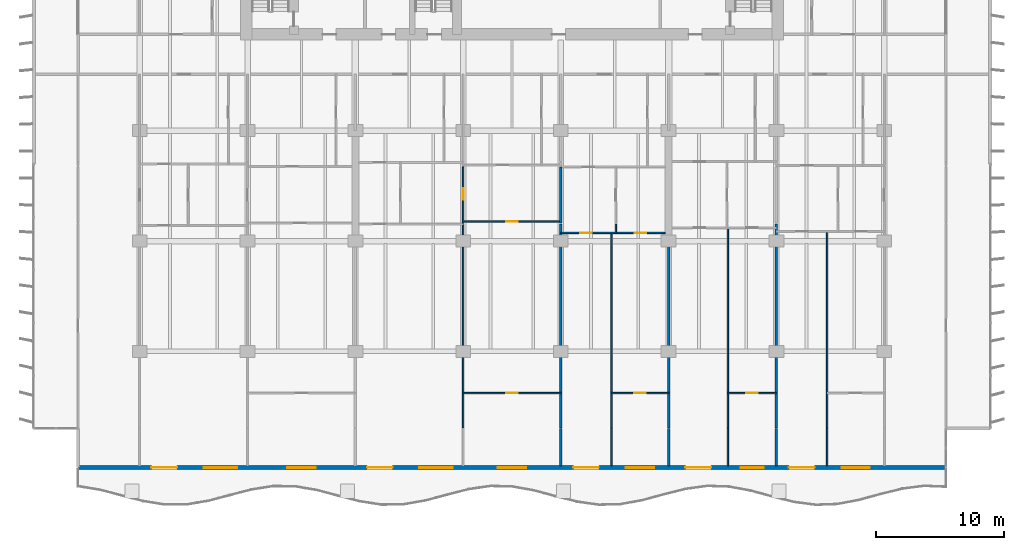
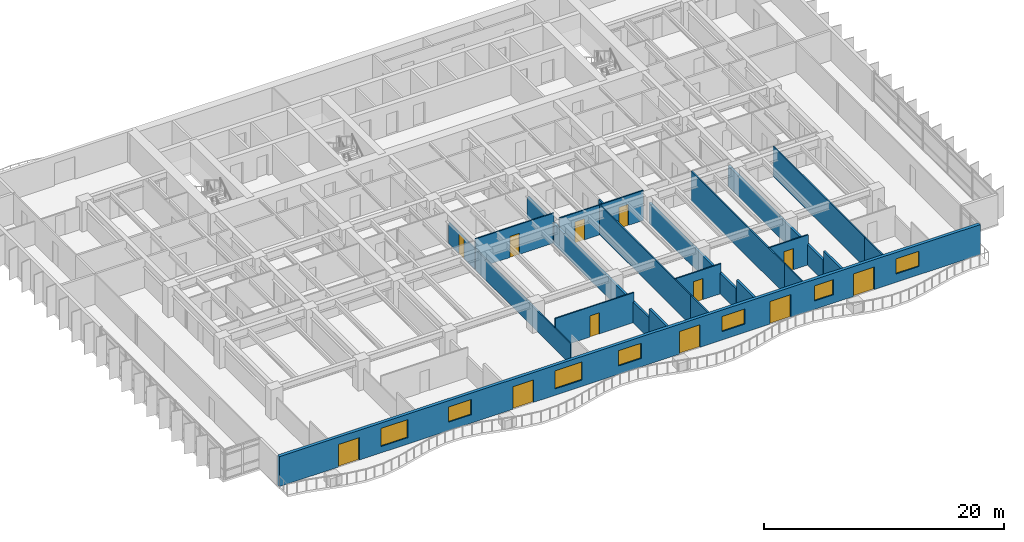
# One storey, part 8 of 18: 22 walls, 12 doors, 7 windows, 19 openings.
"""IFC4 building model written with IfcOpenShell, lengths in metres."""

from ifc_helpers import new_model, si_unit, direction, frame, frame_2d, origin, place, context, subcontext, project, spatial, rectangle, extrude, material, layer, layer_set, type_object, element, fill, save


model = new_model("IFC4")

# Units and contexts
model_context = context("Model", 3, precision=1e-05, world=origin(), true_north=direction((0.0, 1.0)))
body_context = subcontext(model_context, "Body", "Model", "MODEL_VIEW")
ifc_project = project(units=[si_unit("LENGTHUNIT", "METRE"), si_unit("AREAUNIT", "SQUARE_METRE"), si_unit("VOLUMEUNIT", "CUBIC_METRE"), si_unit("PLANEANGLEUNIT", "RADIAN"), si_unit("MASSUNIT", "GRAM", prefix="KILO")], contexts=[model_context])

# Site, building, storey
site_placement = place(None, origin())
site = spatial("IfcSite", under=ifc_project, at=site_placement, CompositionType="ELEMENT")
building_placement = place(site_placement, origin())
building = spatial("IfcBuilding", under=site, at=building_placement, Name="Caelmar Bay Residences", CompositionType="ELEMENT")
storey_placement = place(building_placement, frame((0.0, 0.0, 56.39990234375)))
storey = spatial("IfcBuildingStorey", under=building, at=storey_placement, Name="L14", CompositionType="ELEMENT", Elevation=56.39990234375)

# Wall, openings, doors, windows
ifc_material_1 = material(Name="Precast concrete f'c 40 MPa (6,000 psi)", Category="concrete")
ifc_layer_1 = layer(ifc_material_1, 0.300048828125)
ifc_layer_set_1 = layer_set([ifc_layer_1], Name="Precast concrete f'c 40 MPa (6,000 psi)")
wall_type_1 = type_object("IfcWallType", Name="W-EXT-300", PredefinedType="STANDARD", material=ifc_layer_set_1)
wall_1_placement = place(storey_placement, frame((72.699951171875, 3.14990234375, 0.0), z_axis=(0.0, 0.0, 1.0), x_axis=(-1.0, 0.0, 0.0)))
wall_1 = element("IfcWall", 1, at=wall_1_placement, inside=storey, type_object=wall_type_1, Name="L14 South Bayfront Exterior Wall", PredefinedType="STANDARD", context=body_context, shape_type="SweptSolid", body=[
    extrude(rectangle(XDim=67.599853515625, YDim=0.300048828125, at=frame_2d((33.7998046875, 0.0))), origin(), (0.0, 0.0, 1.0), 3.050048828125),
])
opening_1_placement = place(wall_1_placement, frame((59.889892578125, 0.0, 0.0)))
opening_1 = element("IfcOpeningElement", 2, at=opening_1_placement, cuts=wall_1, Name="Opening L14-BD01", PredefinedType="OPENING", context=body_context, shape_type="SweptSolid", body=[
    extrude(rectangle(XDim=2.0, YDim=2.300048828125, at=frame_2d((1.0, 1.14990234375))), frame((0.0, 0.159912109375, 0.0), z_axis=(0.0, -1.0, 0.0), x_axis=(1.0, 0.0, 0.0)), (0.0, 0.0, 1.0), 0.320068359375),
])
opening_2_placement = place(wall_1_placement, frame((55.2099609375, 0.0, 0.64990234375)))
opening_2 = element("IfcOpeningElement", 3, at=opening_2_placement, cuts=wall_1, Name="Opening WN3", PredefinedType="OPENING", context=body_context, shape_type="SweptSolid", body=[
    extrude(rectangle(XDim=2.60009765625, YDim=1.85009765625, at=frame_2d((1.300048828125, 0.925048828125))), frame((0.0, 0.159912109375, 0.0), z_axis=(0.0, -1.0, 0.0), x_axis=(1.0, 0.0, 0.0)), (0.0, 0.0, 1.0), 0.320068359375),
])
opening_3_placement = place(wall_1_placement, frame((49.10009765625, 0.0, 0.85009765625)))
opening_3 = element("IfcOpeningElement", 4, at=opening_3_placement, cuts=wall_1, Name="Opening WN2", PredefinedType="OPENING", context=body_context, shape_type="SweptSolid", body=[
    extrude(rectangle(XDim=2.199951171875, YDim=1.550048828125, at=frame_2d((1.10009765625, 0.77490234375))), frame((0.0, 0.159912109375, 0.0), z_axis=(0.0, -1.0, 0.0), x_axis=(1.0, 0.0, 0.0)), (0.0, 0.0, 1.0), 0.320068359375),
])
opening_4_placement = place(wall_1_placement, frame((43.090087890625, 0.0, 0.0)))
opening_4 = element("IfcOpeningElement", 5, at=opening_4_placement, cuts=wall_1, Name="Opening L14-BD02", PredefinedType="OPENING", context=body_context, shape_type="SweptSolid", body=[
    extrude(rectangle(XDim=2.0, YDim=2.300048828125, at=frame_2d((1.0, 1.14990234375))), frame((0.0, 0.159912109375, 0.0), z_axis=(0.0, -1.0, 0.0), x_axis=(1.0, 0.0, 0.0)), (0.0, 0.0, 1.0), 0.320068359375),
])
opening_5_placement = place(wall_1_placement, frame((38.409912109375, 0.0, 0.64990234375)))
opening_5 = element("IfcOpeningElement", 6, at=opening_5_placement, cuts=wall_1, Name="Opening WN3", PredefinedType="OPENING", context=body_context, shape_type="SweptSolid", body=[
    extrude(rectangle(XDim=2.60009765625, YDim=1.85009765625, at=frame_2d((1.300048828125, 0.925048828125))), frame((0.0, 0.159912109375, 0.0), z_axis=(0.0, -1.0, 0.0), x_axis=(1.0, 0.0, 0.0)), (0.0, 0.0, 1.0), 0.320068359375),
])
opening_6_placement = place(wall_1_placement, frame((32.699951171875, 0.0, 0.85009765625)))
opening_6 = element("IfcOpeningElement", 7, at=opening_6_placement, cuts=wall_1, Name="Opening WN2", PredefinedType="OPENING", context=body_context, shape_type="SweptSolid", body=[
    extrude(rectangle(XDim=2.199951171875, YDim=1.550048828125, at=frame_2d((1.10009765625, 0.77490234375))), frame((0.0, 0.159912109375, 0.0), z_axis=(0.0, -1.0, 0.0), x_axis=(1.0, 0.0, 0.0)), (0.0, 0.0, 1.0), 0.320068359375),
])
opening_7_placement = place(wall_1_placement, frame((27.02587890625, 0.0, 0.0)))
opening_7 = element("IfcOpeningElement", 8, at=opening_7_placement, cuts=wall_1, Name="Opening L14-BD03", PredefinedType="OPENING", context=body_context, shape_type="SweptSolid", body=[
    extrude(rectangle(XDim=2.0, YDim=2.300048828125, at=frame_2d((1.0, 1.14990234375))), frame((0.0, 0.159912109375, 0.0), z_axis=(0.0, -1.0, 0.0), x_axis=(1.0, 0.0, 0.0)), (0.0, 0.0, 1.0), 0.320068359375),
])
opening_8_placement = place(wall_1_placement, frame((22.72607421875, 0.0, 0.85009765625)))
opening_8 = element("IfcOpeningElement", 9, at=opening_8_placement, cuts=wall_1, Name="Opening WN2", PredefinedType="OPENING", context=body_context, shape_type="SweptSolid", body=[
    extrude(rectangle(XDim=2.199951171875, YDim=1.550048828125, at=frame_2d((1.10009765625, 0.77490234375))), frame((0.0, 0.159912109375, 0.0), z_axis=(0.0, -1.0, 0.0), x_axis=(1.0, 0.0, 0.0)), (0.0, 0.0, 1.0), 0.320068359375),
])
opening_9_placement = place(wall_1_placement, frame((18.2900390625, 0.0, 0.0)))
opening_9 = element("IfcOpeningElement", 10, at=opening_9_placement, cuts=wall_1, Name="Opening L14-BD04", PredefinedType="OPENING", context=body_context, shape_type="SweptSolid", body=[
    extrude(rectangle(XDim=2.0, YDim=2.300048828125, at=frame_2d((1.0, 1.14990234375))), frame((0.0, 0.159912109375, 0.0), z_axis=(0.0, -1.0, 0.0), x_axis=(1.0, 0.0, 0.0)), (0.0, 0.0, 1.0), 0.320068359375),
])
opening_10_placement = place(wall_1_placement, frame((14.18994140625, 0.0, 0.85009765625)))
opening_10 = element("IfcOpeningElement", 11, at=opening_10_placement, cuts=wall_1, Name="Opening WN1", PredefinedType="OPENING", context=body_context, shape_type="SweptSolid", body=[
    extrude(rectangle(XDim=1.800048828125, YDim=1.550048828125, at=frame_2d((0.89990234375, 0.77490234375))), frame((0.0, 0.159912109375, 0.0), z_axis=(0.0, -1.0, 0.0), x_axis=(1.0, 0.0, 0.0)), (0.0, 0.0, 1.0), 0.320068359375),
])
opening_11_placement = place(wall_1_placement, frame((10.22607421875, 0.0, 0.0)))
opening_11 = element("IfcOpeningElement", 12, at=opening_11_placement, cuts=wall_1, Name="Opening L14-BD05", PredefinedType="OPENING", context=body_context, shape_type="SweptSolid", body=[
    extrude(rectangle(XDim=2.0, YDim=2.300048828125, at=frame_2d((1.0, 1.14990234375))), frame((0.0, 0.159912109375, 0.0), z_axis=(0.0, -1.0, 0.0), x_axis=(1.0, 0.0, 0.0)), (0.0, 0.0, 1.0), 0.320068359375),
])
opening_12_placement = place(wall_1_placement, frame((5.926025390625, 0.0, 0.85009765625)))
opening_12 = element("IfcOpeningElement", 13, at=opening_12_placement, cuts=wall_1, Name="Opening WN2", PredefinedType="OPENING", context=body_context, shape_type="SweptSolid", body=[
    extrude(rectangle(XDim=2.199951171875, YDim=1.550048828125, at=frame_2d((1.10009765625, 0.77490234375))), frame((0.0, 0.159912109375, 0.0), z_axis=(0.0, -1.0, 0.0), x_axis=(1.0, 0.0, 0.0)), (0.0, 0.0, 1.0), 0.320068359375),
])
ifc_material_2 = material(Name="Anodised bronze thermally broken sliding glass door", Category="glass")
ifc_layer_2 = layer(ifc_material_2, 0.050048828125)
ifc_layer_set_2 = layer_set([ifc_layer_2], Name="Anodised bronze thermally broken sliding glass door")
door_type_1 = type_object("IfcDoorType", Name="D-BAL-2000", OperationType="DOUBLE_DOOR_SLIDING", PredefinedType="DOOR", material=ifc_layer_set_2)
door_1_placement = place(opening_1_placement, origin())
door_1 = element("IfcDoor", 14, at=door_1_placement, inside=storey, type_object=door_type_1, Name="L14 Residence 01 Penthouse Living Salon Balcony Door", OperationType="DOUBLE_DOOR_SLIDING", OverallHeight=2.300048828125, OverallWidth=2.0, PredefinedType="DOOR", context=body_context, shape_type="SweptSolid", body=[
    extrude(rectangle(XDim=2.0, YDim=2.300048828125, at=frame_2d((1.0, 1.14990234375))), frame((0.0, 0.02490234375, 0.0), z_axis=(0.0, -1.0, 0.0), x_axis=(1.0, 0.0, 0.0)), (0.0, 0.0, 1.0), 0.050048828125),
])
fill(opening_1, door_1)
door_2_placement = place(opening_4_placement, origin())
door_2 = element("IfcDoor", 15, at=door_2_placement, inside=storey, type_object=door_type_1, Name="L14 Residence 02 Penthouse Living Salon Balcony Door", OperationType="DOUBLE_DOOR_SLIDING", OverallHeight=2.300048828125, OverallWidth=2.0, PredefinedType="DOOR", context=body_context, shape_type="SweptSolid", body=[
    extrude(rectangle(XDim=2.0, YDim=2.300048828125, at=frame_2d((1.0, 1.14990234375))), frame((0.0, 0.02490234375, 0.0), z_axis=(0.0, -1.0, 0.0), x_axis=(1.0, 0.0, 0.0)), (0.0, 0.0, 1.0), 0.050048828125),
])
fill(opening_4, door_2)
door_3_placement = place(opening_7_placement, origin())
door_3 = element("IfcDoor", 16, at=door_3_placement, inside=storey, type_object=door_type_1, Name="L14 Residence 03 Living Room Balcony Door", OperationType="DOUBLE_DOOR_SLIDING", OverallHeight=2.300048828125, OverallWidth=2.0, PredefinedType="DOOR", context=body_context, shape_type="SweptSolid", body=[
    extrude(rectangle(XDim=2.0, YDim=2.300048828125, at=frame_2d((1.0, 1.14990234375))), frame((0.0, 0.02490234375, 0.0), z_axis=(0.0, -1.0, 0.0), x_axis=(1.0, 0.0, 0.0)), (0.0, 0.0, 1.0), 0.050048828125),
])
fill(opening_7, door_3)
door_4_placement = place(opening_9_placement, origin())
door_4 = element("IfcDoor", 17, at=door_4_placement, inside=storey, type_object=door_type_1, Name="L14 Residence 04 Penthouse Living Salon Balcony Door", OperationType="DOUBLE_DOOR_SLIDING", OverallHeight=2.300048828125, OverallWidth=2.0, PredefinedType="DOOR", context=body_context, shape_type="SweptSolid", body=[
    extrude(rectangle(XDim=2.0, YDim=2.300048828125, at=frame_2d((1.0, 1.14990234375))), frame((0.0, 0.02490234375, 0.0), z_axis=(0.0, -1.0, 0.0), x_axis=(1.0, 0.0, 0.0)), (0.0, 0.0, 1.0), 0.050048828125),
])
fill(opening_9, door_4)
door_5_placement = place(opening_11_placement, origin())
door_5 = element("IfcDoor", 18, at=door_5_placement, inside=storey, type_object=door_type_1, Name="L14 Residence 05 Living Room Balcony Door", OperationType="DOUBLE_DOOR_SLIDING", OverallHeight=2.300048828125, OverallWidth=2.0, PredefinedType="DOOR", context=body_context, shape_type="SweptSolid", body=[
    extrude(rectangle(XDim=2.0, YDim=2.300048828125, at=frame_2d((1.0, 1.14990234375))), frame((0.0, 0.02490234375, 0.0), z_axis=(0.0, -1.0, 0.0), x_axis=(1.0, 0.0, 0.0)), (0.0, 0.0, 1.0), 0.050048828125),
])
fill(opening_11, door_5)
ifc_material_3 = material(Name="Bronze aluminium frame with laminated low-E glass", Category="aluminium")
ifc_layer_3 = layer(ifc_material_3, 0.06005859375)
ifc_layer_set_3 = layer_set([ifc_layer_3], Name="Bronze aluminium frame with laminated low-E glass")
window_type_1 = type_object("IfcWindowType", Name="WIN-BR-1800", PartitioningType="SINGLE_PANEL", PredefinedType="WINDOW", material=ifc_layer_set_3)
window_1_placement = place(opening_10_placement, origin())
window_1 = element("IfcWindow", 19, at=window_1_placement, inside=storey, type_object=window_type_1, Name="L14 Residence 04 Primary Bedroom Window", OverallHeight=1.550048828125, OverallWidth=1.800048828125, PartitioningType="SINGLE_PANEL", PredefinedType="WINDOW", context=body_context, shape_type="SweptSolid", body=[
    extrude(rectangle(XDim=1.800048828125, YDim=1.550048828125, at=frame_2d((0.89990234375, 0.77490234375))), frame((0.0, 0.030029296875, 0.0), z_axis=(0.0, -1.0, 0.0), x_axis=(1.0, 0.0, 0.0)), (0.0, 0.0, 1.0), 0.06005859375),
])
fill(opening_10, window_1)
ifc_layer_4 = layer(ifc_material_3, 0.06005859375)
ifc_layer_set_4 = layer_set([ifc_layer_4], Name="Bronze aluminium frame with laminated low-E glass")
window_type_2 = type_object("IfcWindowType", Name="WIN-BR-2200", PartitioningType="SINGLE_PANEL", PredefinedType="WINDOW", material=ifc_layer_set_4)
window_2_placement = place(opening_3_placement, origin())
window_2 = element("IfcWindow", 20, at=window_2_placement, inside=storey, type_object=window_type_2, Name="L14 Residence 01 Primary Bedroom 1 Window", OverallHeight=1.550048828125, OverallWidth=2.199951171875, PartitioningType="SINGLE_PANEL", PredefinedType="WINDOW", context=body_context, shape_type="SweptSolid", body=[
    extrude(rectangle(XDim=2.199951171875, YDim=1.550048828125, at=frame_2d((1.10009765625, 0.77490234375))), frame((0.0, 0.030029296875, 0.0), z_axis=(0.0, -1.0, 0.0), x_axis=(1.0, 0.0, 0.0)), (0.0, 0.0, 1.0), 0.06005859375),
])
fill(opening_3, window_2)
window_3_placement = place(opening_6_placement, origin())
window_3 = element("IfcWindow", 21, at=window_3_placement, inside=storey, type_object=window_type_2, Name="L14 Residence 02 Primary Bedroom 1 Window", OverallHeight=1.550048828125, OverallWidth=2.199951171875, PartitioningType="SINGLE_PANEL", PredefinedType="WINDOW", context=body_context, shape_type="SweptSolid", body=[
    extrude(rectangle(XDim=2.199951171875, YDim=1.550048828125, at=frame_2d((1.10009765625, 0.77490234375))), frame((0.0, 0.030029296875, 0.0), z_axis=(0.0, -1.0, 0.0), x_axis=(1.0, 0.0, 0.0)), (0.0, 0.0, 1.0), 0.06005859375),
])
fill(opening_6, window_3)
window_4_placement = place(opening_8_placement, origin())
window_4 = element("IfcWindow", 22, at=window_4_placement, inside=storey, type_object=window_type_2, Name="L14 Residence 03 Primary Bedroom Window", OverallHeight=1.550048828125, OverallWidth=2.199951171875, PartitioningType="SINGLE_PANEL", PredefinedType="WINDOW", context=body_context, shape_type="SweptSolid", body=[
    extrude(rectangle(XDim=2.199951171875, YDim=1.550048828125, at=frame_2d((1.10009765625, 0.77490234375))), frame((0.0, 0.030029296875, 0.0), z_axis=(0.0, -1.0, 0.0), x_axis=(1.0, 0.0, 0.0)), (0.0, 0.0, 1.0), 0.06005859375),
])
fill(opening_8, window_4)
window_5_placement = place(opening_12_placement, origin())
window_5 = element("IfcWindow", 23, at=window_5_placement, inside=storey, type_object=window_type_2, Name="L14 Residence 05 Primary Bedroom Window", OverallHeight=1.550048828125, OverallWidth=2.199951171875, PartitioningType="SINGLE_PANEL", PredefinedType="WINDOW", context=body_context, shape_type="SweptSolid", body=[
    extrude(rectangle(XDim=2.199951171875, YDim=1.550048828125, at=frame_2d((1.10009765625, 0.77490234375))), frame((0.0, 0.030029296875, 0.0), z_axis=(0.0, -1.0, 0.0), x_axis=(1.0, 0.0, 0.0)), (0.0, 0.0, 1.0), 0.06005859375),
])
fill(opening_12, window_5)
ifc_layer_5 = layer(ifc_material_3, 0.06005859375)
ifc_layer_set_5 = layer_set([ifc_layer_5], Name="Bronze aluminium frame with laminated low-E glass")
window_type_3 = type_object("IfcWindowType", Name="WIN-LIV-2600", PartitioningType="SINGLE_PANEL", PredefinedType="WINDOW", material=ifc_layer_set_5)
window_6_placement = place(opening_2_placement, origin())
window_6 = element("IfcWindow", 24, at=window_6_placement, inside=storey, type_object=window_type_3, Name="L14 Residence 01 Penthouse Living Salon Panoramic Window", OverallHeight=1.85009765625, OverallWidth=2.60009765625, PartitioningType="SINGLE_PANEL", PredefinedType="WINDOW", context=body_context, shape_type="SweptSolid", body=[
    extrude(rectangle(XDim=2.60009765625, YDim=1.85009765625, at=frame_2d((1.300048828125, 0.925048828125))), frame((0.0, 0.030029296875, 0.0), z_axis=(0.0, -1.0, 0.0), x_axis=(1.0, 0.0, 0.0)), (0.0, 0.0, 1.0), 0.06005859375),
])
fill(opening_2, window_6)
window_7_placement = place(opening_5_placement, origin())
window_7 = element("IfcWindow", 25, at=window_7_placement, inside=storey, type_object=window_type_3, Name="L14 Residence 02 Penthouse Living Salon Panoramic Window", OverallHeight=1.85009765625, OverallWidth=2.60009765625, PartitioningType="SINGLE_PANEL", PredefinedType="WINDOW", context=body_context, shape_type="SweptSolid", body=[
    extrude(rectangle(XDim=2.60009765625, YDim=1.85009765625, at=frame_2d((1.300048828125, 0.925048828125))), frame((0.0, 0.030029296875, 0.0), z_axis=(0.0, -1.0, 0.0), x_axis=(1.0, 0.0, 0.0)), (0.0, 0.0, 1.0), 0.06005859375),
])
fill(opening_5, window_7)

# Wall
ifc_material_4 = material(Name="Acoustic metal-stud gypsum partition 120 mm")
ifc_layer_6 = layer(ifc_material_4, 0.1201171875)
ifc_layer_set_6 = layer_set([ifc_layer_6], Name="Acoustic metal-stud gypsum partition 120 mm")
wall_type_2 = type_object("IfcWallType", Name="W-PRT-120", PredefinedType="PARTITIONING", material=ifc_layer_set_6)
wall_2_placement = place(storey_placement, frame((35.10009765625, 6.239990234375, 0.0), z_axis=(0.0, 0.0, 1.0), x_axis=(0.0, 1.0, 0.0)))
element("IfcWall", 26, at=wall_2_placement, inside=storey, type_object=wall_type_2, Name="L14 Partition Wall V038", PredefinedType="PARTITIONING", context=body_context, shape_type="SweptSolid", body=[
    extrude(rectangle(XDim=15.880126953125, YDim=0.1201171875, at=frame_2d((7.93994140625, 0.0))), origin(), (0.0, 0.0, 1.0), 2.110107421875),
])

# Wall, opening, door
wall_3_placement = place(storey_placement, frame((35.10009765625, 22.199951171875, 0.0), z_axis=(0.0, 0.0, 1.0), x_axis=(0.0, 1.0, 0.0)))
wall_3 = element("IfcWall", 27, at=wall_3_placement, inside=storey, type_object=wall_type_2, Name="L14 Partition Wall V039", PredefinedType="PARTITIONING", context=body_context, shape_type="SweptSolid", body=[
    extrude(rectangle(XDim=4.380126953125, YDim=0.1201171875, at=frame_2d((2.18994140625, 0.0))), origin(), (0.0, 0.0, 1.0), 2.110107421875),
])
opening_13_placement = place(wall_3_placement, frame((1.800048828125, 0.0, 0.0)))
opening_13 = element("IfcOpeningElement", 28, at=opening_13_placement, cuts=wall_3, Name="Opening D-L14-137", PredefinedType="OPENING", context=body_context, shape_type="SweptSolid", body=[
    extrude(rectangle(XDim=0.89990234375, YDim=2.06005859375, at=frame_2d((0.449951171875, 1.030029296875))), frame((0.0, 0.070068359375, 0.0), z_axis=(0.0, -1.0, 0.0), x_axis=(1.0, 0.0, 0.0)), (0.0, 0.0, 1.0), 0.14013671875),
])
ifc_material_5 = material(Name="Solid walnut timber interior door leaf and frame", Category="wood")
ifc_layer_7 = layer(ifc_material_5, 0.050048828125)
ifc_layer_set_7 = layer_set([ifc_layer_7], Name="Solid walnut timber interior door leaf and frame")
door_type_2 = type_object("IfcDoorType", Name="D-ROOM-900", OperationType="NOTDEFINED", PredefinedType="DOOR", material=ifc_layer_set_7)
door_6_placement = place(opening_13_placement, origin())
door_6 = element("IfcDoor", 29, at=door_6_placement, inside=storey, type_object=door_type_2, Name="L14 Residence 02 Conference Study 1 Door", OperationType="SINGLE_SWING_RIGHT", OverallHeight=2.06005859375, OverallWidth=0.89990234375, PredefinedType="DOOR", context=body_context, shape_type="SweptSolid", body=[
    extrude(rectangle(XDim=0.89990234375, YDim=2.06005859375, at=frame_2d((0.449951171875, 1.030029296875))), frame((0.0, 0.02490234375, 0.0), z_axis=(0.0, -1.0, 0.0), x_axis=(1.0, 0.0, 0.0)), (0.0, 0.0, 1.0), 0.050048828125),
])
fill(opening_13, door_6)

# Walls
wall_4_placement = place(storey_placement, frame((46.64794921875, 3.294921875, 0.0), z_axis=(0.0, 0.0, 1.0), x_axis=(0.0, 1.0, 0.0)))
element("IfcWall", 30, at=wall_4_placement, inside=storey, type_object=wall_type_2, Name="L14 Partition Wall V055", PredefinedType="PARTITIONING", context=body_context, shape_type="SweptSolid", body=[
    extrude(rectangle(XDim=2.905029296875, YDim=0.1201171875, at=frame_2d((1.45263671875, 0.0))), origin(), (0.0, 0.0, 1.0), 3.050048828125),
])
wall_5_placement = place(storey_placement, frame((46.64794921875, 6.239990234375, 0.0), z_axis=(0.0, 0.0, 1.0), x_axis=(0.0, 1.0, 0.0)))
element("IfcWall", 31, at=wall_5_placement, inside=storey, type_object=wall_type_2, Name="L14 Partition Wall V056", PredefinedType="PARTITIONING", context=body_context, shape_type="SweptSolid", body=[
    extrude(rectangle(XDim=15.18994140625, YDim=0.1201171875, at=frame_2d((7.594970703125, 0.0))), origin(), (0.0, 0.0, 1.0), 3.050048828125),
])
wall_6_placement = place(storey_placement, frame((46.986083984375, 21.429931640625, 0.0), z_axis=(0.0, 0.0, 1.0), x_axis=(0.0, 1.0, 0.0)))
element("IfcWall", 32, at=wall_6_placement, inside=storey, type_object=wall_type_2, Name="L14 Partition Wall V057", PredefinedType="PARTITIONING", context=body_context, shape_type="SweptSolid", body=[
    extrude(rectangle(XDim=0.690185546875, YDim=0.1201171875, at=frame_2d((0.34521484375, 0.0))), origin(), (0.0, 0.0, 1.0), 3.050048828125),
])
wall_7_placement = place(storey_placement, frame((55.719970703125, 3.294921875, 0.0), z_axis=(0.0, 0.0, 1.0), x_axis=(0.0, 1.0, 0.0)))
element("IfcWall", 33, at=wall_7_placement, inside=storey, type_object=wall_type_2, Name="L14 Partition Wall V072", PredefinedType="PARTITIONING", context=body_context, shape_type="SweptSolid", body=[
    extrude(rectangle(XDim=2.905029296875, YDim=0.1201171875, at=frame_2d((1.45263671875, 0.0))), origin(), (0.0, 0.0, 1.0), 3.050048828125),
])
wall_8_placement = place(storey_placement, frame((55.719970703125, 6.239990234375, 0.0), z_axis=(0.0, 0.0, 1.0), x_axis=(0.0, 1.0, 0.0)))
element("IfcWall", 34, at=wall_8_placement, inside=storey, type_object=wall_type_2, Name="L14 Partition Wall V073", PredefinedType="PARTITIONING", context=body_context, shape_type="SweptSolid", body=[
    extrude(rectangle(XDim=15.5849609375, YDim=0.1201171875, at=frame_2d((7.79248046875, 0.0))), origin(), (0.0, 0.0, 1.0), 3.050048828125),
])
wall_9_placement = place(storey_placement, frame((63.447998046875, 3.294921875, 0.0), z_axis=(0.0, 0.0, 1.0), x_axis=(0.0, 1.0, 0.0)))
element("IfcWall", 35, at=wall_9_placement, inside=storey, type_object=wall_type_2, Name="L14 Partition Wall V082", PredefinedType="PARTITIONING", context=body_context, shape_type="SweptSolid", body=[
    extrude(rectangle(XDim=2.905029296875, YDim=0.1201171875, at=frame_2d((1.45263671875, 0.0))), origin(), (0.0, 0.0, 1.0), 3.050048828125),
])
wall_10_placement = place(storey_placement, frame((63.447998046875, 6.239990234375, 0.0), z_axis=(0.0, 0.0, 1.0), x_axis=(0.0, 1.0, 0.0)))
element("IfcWall", 36, at=wall_10_placement, inside=storey, type_object=wall_type_2, Name="L14 Partition Wall V083", PredefinedType="PARTITIONING", context=body_context, shape_type="SweptSolid", body=[
    extrude(rectangle(XDim=15.2900390625, YDim=0.1201171875, at=frame_2d((7.64501953125, 0.0))), origin(), (0.0, 0.0, 1.0), 3.050048828125),
])

# Wall, opening, door
wall_11_placement = place(storey_placement, frame((35.10009765625, 8.949951171875, 0.0), z_axis=(0.0, 0.0, 1.0), x_axis=(1.0, 0.0, 0.0)))
wall_11 = element("IfcWall", 37, at=wall_11_placement, inside=storey, type_object=wall_type_2, Name="L14 Partition Wall H101", PredefinedType="PARTITIONING", context=body_context, shape_type="SweptSolid", body=[
    extrude(rectangle(XDim=7.599853515625, YDim=0.1201171875, at=frame_2d((3.7998046875, 0.0))), origin(), (0.0, 0.0, 1.0), 3.050048828125),
])
opening_14_placement = place(wall_11_placement, frame((3.35009765625, 0.0, 0.0)))
opening_14 = element("IfcOpeningElement", 38, at=opening_14_placement, cuts=wall_11, Name="Opening D-L14-141", PredefinedType="OPENING", context=body_context, shape_type="SweptSolid", body=[
    extrude(rectangle(XDim=0.89990234375, YDim=2.14990234375, at=frame_2d((0.449951171875, 1.074951171875))), frame((0.0, 0.070068359375, 0.0), z_axis=(0.0, -1.0, 0.0), x_axis=(1.0, 0.0, 0.0)), (0.0, 0.0, 1.0), 0.14013671875),
])
door_7_placement = place(opening_14_placement, origin())
door_7 = element("IfcDoor", 39, at=door_7_placement, inside=storey, type_object=door_type_2, Name="L14 Residence 02 Primary Bedroom 1 Door", OperationType="SINGLE_SWING_RIGHT", OverallHeight=2.14990234375, OverallWidth=0.89990234375, PredefinedType="DOOR", context=body_context, shape_type="SweptSolid", body=[
    extrude(rectangle(XDim=0.89990234375, YDim=2.14990234375, at=frame_2d((0.449951171875, 1.074951171875))), frame((0.0, 0.02490234375, 0.0), z_axis=(0.0, -1.0, 0.0), x_axis=(1.0, 0.0, 0.0)), (0.0, 0.0, 1.0), 0.050048828125),
])
fill(opening_14, door_7)

wall_12_placement = place(storey_placement, frame((46.64794921875, 8.949951171875, 0.0), z_axis=(0.0, 0.0, 1.0), x_axis=(1.0, 0.0, 0.0)))
wall_12 = element("IfcWall", 40, at=wall_12_placement, inside=storey, type_object=wall_type_2, Name="L14 Partition Wall H102", PredefinedType="PARTITIONING", context=body_context, shape_type="SweptSolid", body=[
    extrude(rectangle(XDim=4.4521484375, YDim=0.1201171875, at=frame_2d((2.22607421875, 0.0))), origin(), (0.0, 0.0, 1.0), 3.050048828125),
])
opening_15_placement = place(wall_12_placement, frame((1.77587890625, 0.0, 0.0)))
opening_15 = element("IfcOpeningElement", 41, at=opening_15_placement, cuts=wall_12, Name="Opening D-L14-148", PredefinedType="OPENING", context=body_context, shape_type="SweptSolid", body=[
    extrude(rectangle(XDim=0.89990234375, YDim=2.14990234375, at=frame_2d((0.449951171875, 1.074951171875))), frame((0.0, 0.070068359375, 0.0), z_axis=(0.0, -1.0, 0.0), x_axis=(1.0, 0.0, 0.0)), (0.0, 0.0, 1.0), 0.14013671875),
])
door_8_placement = place(opening_15_placement, origin())
door_8 = element("IfcDoor", 42, at=door_8_placement, inside=storey, type_object=door_type_2, Name="L14 Residence 03 Primary Bedroom Door", OperationType="SINGLE_SWING_LEFT", OverallHeight=2.14990234375, OverallWidth=0.89990234375, PredefinedType="DOOR", context=body_context, shape_type="SweptSolid", body=[
    extrude(rectangle(XDim=0.89990234375, YDim=2.14990234375, at=frame_2d((0.449951171875, 1.074951171875))), frame((0.0, 0.02490234375, 0.0), z_axis=(0.0, -1.0, 0.0), x_axis=(1.0, 0.0, 0.0)), (0.0, 0.0, 1.0), 0.050048828125),
])
fill(opening_15, door_8)

wall_13_placement = place(storey_placement, frame((55.719970703125, 8.949951171875, 0.0), z_axis=(0.0, 0.0, 1.0), x_axis=(1.0, 0.0, 0.0)))
wall_13 = element("IfcWall", 43, at=wall_13_placement, inside=storey, type_object=wall_type_2, Name="L14 Partition Wall H103", PredefinedType="PARTITIONING", context=body_context, shape_type="SweptSolid", body=[
    extrude(rectangle(XDim=3.780029296875, YDim=0.1201171875, at=frame_2d((1.89013671875, 0.0))), origin(), (0.0, 0.0, 1.0), 3.050048828125),
])
opening_16_placement = place(wall_13_placement, frame((1.43994140625, 0.0, 0.0)))
opening_16 = element("IfcOpeningElement", 44, at=opening_16_placement, cuts=wall_13, Name="Opening D-L14-155", PredefinedType="OPENING", context=body_context, shape_type="SweptSolid", body=[
    extrude(rectangle(XDim=0.89990234375, YDim=2.14990234375, at=frame_2d((0.449951171875, 1.074951171875))), frame((0.0, 0.070068359375, 0.0), z_axis=(0.0, -1.0, 0.0), x_axis=(1.0, 0.0, 0.0)), (0.0, 0.0, 1.0), 0.14013671875),
])
door_9_placement = place(opening_16_placement, origin())
door_9 = element("IfcDoor", 45, at=door_9_placement, inside=storey, type_object=door_type_2, Name="L14 Residence 04 Primary Bedroom Door", OperationType="SINGLE_SWING_RIGHT", OverallHeight=2.14990234375, OverallWidth=0.89990234375, PredefinedType="DOOR", context=body_context, shape_type="SweptSolid", body=[
    extrude(rectangle(XDim=0.89990234375, YDim=2.14990234375, at=frame_2d((0.449951171875, 1.074951171875))), frame((0.0, 0.02490234375, 0.0), z_axis=(0.0, -1.0, 0.0), x_axis=(1.0, 0.0, 0.0)), (0.0, 0.0, 1.0), 0.050048828125),
])
fill(opening_16, door_9)

# Wall, openings, doors
wall_14_placement = place(storey_placement, frame((42.699951171875, 21.429931640625, 0.0), z_axis=(0.0, 0.0, 1.0), x_axis=(1.0, 0.0, 0.0)))
wall_14 = element("IfcWall", 46, at=wall_14_placement, inside=storey, type_object=wall_type_2, Name="L14 Partition Wall H105", PredefinedType="PARTITIONING", context=body_context, shape_type="SweptSolid", body=[
    extrude(rectangle(XDim=8.130126953125, YDim=0.1201171875, at=frame_2d((4.06494140625, 0.0))), origin(), (0.0, 0.0, 1.0), 3.050048828125),
])
opening_17_placement = place(wall_14_placement, frame((1.52392578125, 0.0, 0.0)))
opening_17 = element("IfcOpeningElement", 47, at=opening_17_placement, cuts=wall_14, Name="Opening D-L14-146", PredefinedType="OPENING", context=body_context, shape_type="SweptSolid", body=[
    extrude(rectangle(XDim=0.89990234375, YDim=2.14990234375, at=frame_2d((0.449951171875, 1.074951171875))), frame((0.0, 0.070068359375, 0.0), z_axis=(0.0, -1.0, 0.0), x_axis=(1.0, 0.0, 0.0)), (0.0, 0.0, 1.0), 0.14013671875),
])
opening_18_placement = place(wall_14_placement, frame((5.758056640625, 0.0, 0.0)))
opening_18 = element("IfcOpeningElement", 48, at=opening_18_placement, cuts=wall_14, Name="Opening D-L14-147", PredefinedType="OPENING", context=body_context, shape_type="SweptSolid", body=[
    extrude(rectangle(XDim=0.89990234375, YDim=2.14990234375, at=frame_2d((0.449951171875, 1.074951171875))), frame((0.0, 0.070068359375, 0.0), z_axis=(0.0, -1.0, 0.0), x_axis=(1.0, 0.0, 0.0)), (0.0, 0.0, 1.0), 0.14013671875),
])
door_10_placement = place(opening_17_placement, origin())
door_10 = element("IfcDoor", 49, at=door_10_placement, inside=storey, type_object=door_type_2, Name="L14 Residence 03 Living Room Door", OperationType="SINGLE_SWING_LEFT", OverallHeight=2.14990234375, OverallWidth=0.89990234375, PredefinedType="DOOR", context=body_context, shape_type="SweptSolid", body=[
    extrude(rectangle(XDim=0.89990234375, YDim=2.14990234375, at=frame_2d((0.449951171875, 1.074951171875))), frame((0.0, 0.02490234375, 0.0), z_axis=(0.0, -1.0, 0.0), x_axis=(1.0, 0.0, 0.0)), (0.0, 0.0, 1.0), 0.050048828125),
])
fill(opening_17, door_10)
door_11_placement = place(opening_18_placement, origin())
door_11 = element("IfcDoor", 50, at=door_11_placement, inside=storey, type_object=door_type_2, Name="L14 Residence 03 Penthouse Sitting Room Door", OperationType="SINGLE_SWING_RIGHT", OverallHeight=2.14990234375, OverallWidth=0.89990234375, PredefinedType="DOOR", context=body_context, shape_type="SweptSolid", body=[
    extrude(rectangle(XDim=0.89990234375, YDim=2.14990234375, at=frame_2d((0.449951171875, 1.074951171875))), frame((0.0, 0.02490234375, 0.0), z_axis=(0.0, -1.0, 0.0), x_axis=(1.0, 0.0, 0.0)), (0.0, 0.0, 1.0), 0.050048828125),
])
fill(opening_18, door_11)

# Wall, opening, door
wall_15_placement = place(storey_placement, frame((35.10498046875, 22.320068359375, 0.0), z_axis=(0.0, 0.0, 1.0), x_axis=(1.0, 0.0, 0.0)))
wall_15 = element("IfcWall", 51, at=wall_15_placement, inside=storey, type_object=wall_type_2, Name="L14 Partition Wall H111", PredefinedType="PARTITIONING", context=body_context, shape_type="SweptSolid", body=[
    extrude(rectangle(XDim=7.594970703125, YDim=0.1201171875, at=frame_2d((3.79736328125, 0.0))), origin(), (0.0, 0.0, 1.0), 3.050048828125),
])
opening_19_placement = place(wall_15_placement, frame((3.347412109375, 0.0, 0.0)))
opening_19 = element("IfcOpeningElement", 52, at=opening_19_placement, cuts=wall_15, Name="Opening D-L14-140", PredefinedType="OPENING", context=body_context, shape_type="SweptSolid", body=[
    extrude(rectangle(XDim=0.89990234375, YDim=2.14990234375, at=frame_2d((0.449951171875, 1.074951171875))), frame((0.0, 0.070068359375, 0.0), z_axis=(0.0, -1.0, 0.0), x_axis=(1.0, 0.0, 0.0)), (0.0, 0.0, 1.0), 0.14013671875),
])
door_12_placement = place(opening_19_placement, origin())
door_12 = element("IfcDoor", 53, at=door_12_placement, inside=storey, type_object=door_type_2, Name="L14 Residence 02 Penthouse Sitting Salon 1 Door", OperationType="SINGLE_SWING_LEFT", OverallHeight=2.14990234375, OverallWidth=0.89990234375, PredefinedType="DOOR", context=body_context, shape_type="SweptSolid", body=[
    extrude(rectangle(XDim=0.89990234375, YDim=2.14990234375, at=frame_2d((0.449951171875, 1.074951171875))), frame((0.0, 0.02490234375, 0.0), z_axis=(0.0, -1.0, 0.0), x_axis=(1.0, 0.0, 0.0)), (0.0, 0.0, 1.0), 0.050048828125),
])
fill(opening_19, door_12)

# Walls
ifc_material_6 = material(Name="Acoustic twin-stud fire-rated inter-tenancy partition 200 mm")
ifc_layer_8 = layer(ifc_material_6, 0.199951171875)
ifc_layer_set_8 = layer_set([ifc_layer_8], Name="Acoustic twin-stud fire-rated inter-tenancy partition 200 mm")
wall_type_3 = type_object("IfcWallType", Name="W-PTY-200", PredefinedType="PARTITIONING", material=ifc_layer_set_8)
wall_16_placement = place(storey_placement, frame((42.699951171875, 3.294921875, 0.0), z_axis=(0.0, 0.0, 1.0), x_axis=(0.0, 1.0, 0.0)))
element("IfcWall", 54, at=wall_16_placement, inside=storey, type_object=wall_type_3, Name="L14 Partition Wall V047", PredefinedType="PARTITIONING", context=body_context, shape_type="SweptSolid", body=[
    extrude(rectangle(XDim=2.905029296875, YDim=0.199951171875, at=frame_2d((1.45263671875, 0.0))), origin(), (0.0, 0.0, 1.0), 3.050048828125),
])
wall_17_placement = place(storey_placement, frame((42.699951171875, 6.239990234375, 0.0), z_axis=(0.0, 0.0, 1.0), x_axis=(0.0, 1.0, 0.0)))
element("IfcWall", 55, at=wall_17_placement, inside=storey, type_object=wall_type_3, Name="L14 Partition Wall V048", PredefinedType="PARTITIONING", context=body_context, shape_type="SweptSolid", body=[
    extrude(rectangle(XDim=15.880126953125, YDim=0.199951171875, at=frame_2d((7.93994140625, 0.0))), origin(), (0.0, 0.0, 1.0), 2.110107421875),
])
wall_18_placement = place(storey_placement, frame((42.699951171875, 22.199951171875, 0.0), z_axis=(0.0, 0.0, 1.0), x_axis=(0.0, 1.0, 0.0)))
element("IfcWall", 56, at=wall_18_placement, inside=storey, type_object=wall_type_3, Name="L14 Partition Wall V049", PredefinedType="PARTITIONING", context=body_context, shape_type="SweptSolid", body=[
    extrude(rectangle(XDim=4.380126953125, YDim=0.199951171875, at=frame_2d((2.18994140625, 0.0))), origin(), (0.0, 0.0, 1.0), 2.110107421875),
])
wall_19_placement = place(storey_placement, frame((51.10009765625, 3.294921875, 0.0), z_axis=(0.0, 0.0, 1.0), x_axis=(0.0, 1.0, 0.0)))
element("IfcWall", 57, at=wall_19_placement, inside=storey, type_object=wall_type_3, Name="L14 Partition Wall V065", PredefinedType="PARTITIONING", context=body_context, shape_type="SweptSolid", body=[
    extrude(rectangle(XDim=2.905029296875, YDim=0.199951171875, at=frame_2d((1.45263671875, 0.0))), origin(), (0.0, 0.0, 1.0), 3.050048828125),
])
wall_20_placement = place(storey_placement, frame((51.10009765625, 6.239990234375, 0.0), z_axis=(0.0, 0.0, 1.0), x_axis=(0.0, 1.0, 0.0)))
element("IfcWall", 58, at=wall_20_placement, inside=storey, type_object=wall_type_3, Name="L14 Partition Wall V066", PredefinedType="PARTITIONING", context=body_context, shape_type="SweptSolid", body=[
    extrude(rectangle(XDim=14.554931640625, YDim=0.199951171875, at=frame_2d((7.27734375, 0.0))), origin(), (0.0, 0.0, 1.0), 2.110107421875),
])
wall_21_placement = place(storey_placement, frame((59.5, 3.294921875, 0.0), z_axis=(0.0, 0.0, 1.0), x_axis=(0.0, 1.0, 0.0)))
element("IfcWall", 59, at=wall_21_placement, inside=storey, type_object=wall_type_3, Name="L14 Partition Wall V076", PredefinedType="PARTITIONING", context=body_context, shape_type="SweptSolid", body=[
    extrude(rectangle(XDim=2.905029296875, YDim=0.199951171875, at=frame_2d((1.45263671875, 0.0))), origin(), (0.0, 0.0, 1.0), 3.050048828125),
])
wall_22_placement = place(storey_placement, frame((59.5, 6.239990234375, 0.0), z_axis=(0.0, 0.0, 1.0), x_axis=(0.0, 1.0, 0.0)))
element("IfcWall", 60, at=wall_22_placement, inside=storey, type_object=wall_type_3, Name="L14 Partition Wall V077", PredefinedType="PARTITIONING", context=body_context, shape_type="SweptSolid", body=[
    extrude(rectangle(XDim=15.880126953125, YDim=0.199951171875, at=frame_2d((7.93994140625, 0.0))), origin(), (0.0, 0.0, 1.0), 2.110107421875),
])

save(model, "model.ifc")
